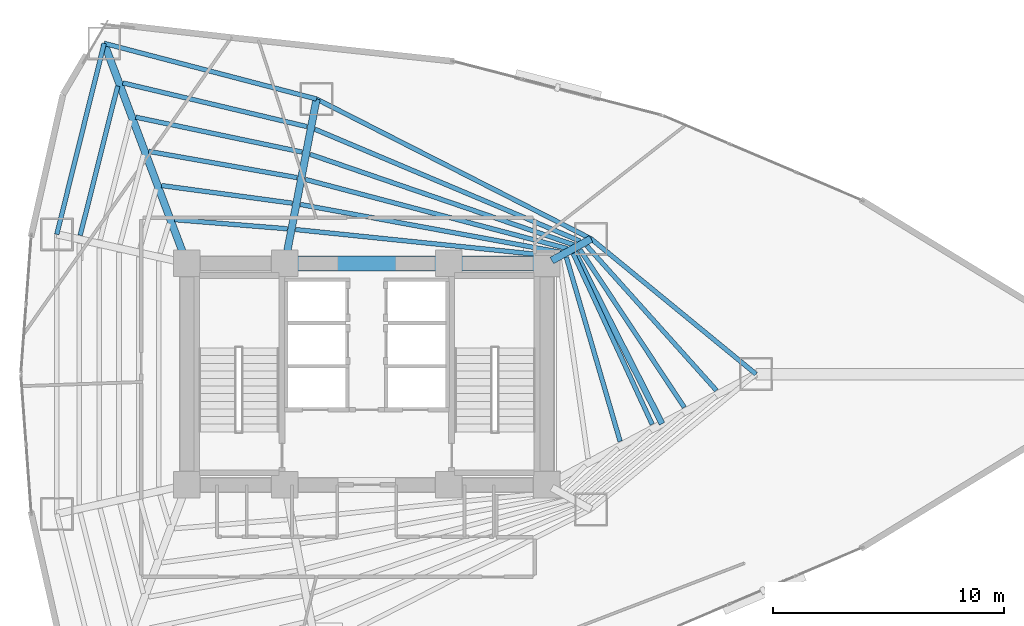
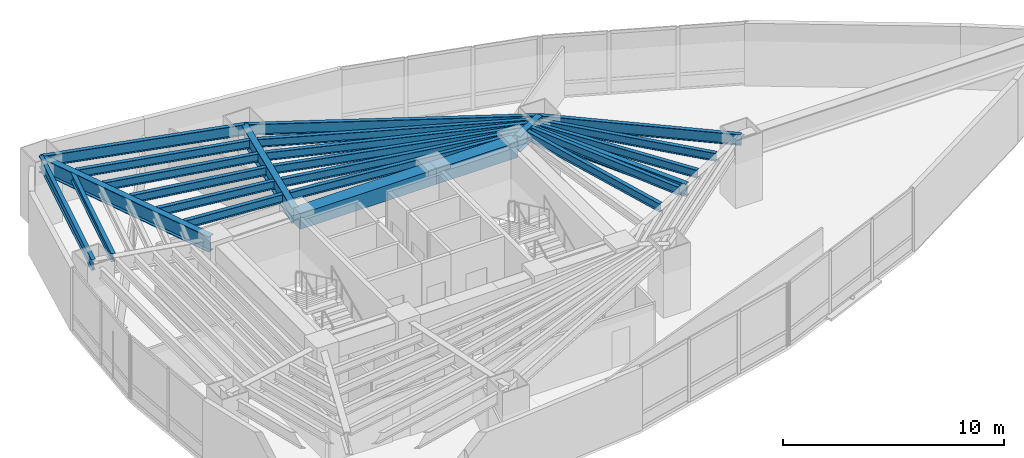
# One storey, part 9 of 20: 25 beams.
"""IFC4 building model written with IfcOpenShell, lengths in metres."""

from ifc_helpers import new_model, si_unit, direction, frame, origin, origin_2d, place, context, subcontext, project, spatial, rectangle, i_section, extrude, material, material_profile, profile_set, type_object, element, save


model = new_model("IFC4")

# Units and contexts
model_context = context("Model", 3, precision=1e-05, world=origin(), true_north=direction((0.0, 1.0)))
body_context = subcontext(model_context, "Body", "Model", "MODEL_VIEW")
ifc_project = project(units=[si_unit("LENGTHUNIT", "METRE"), si_unit("AREAUNIT", "SQUARE_METRE"), si_unit("VOLUMEUNIT", "CUBIC_METRE"), si_unit("PLANEANGLEUNIT", "RADIAN"), si_unit("MASSUNIT", "GRAM", prefix="KILO")], contexts=[model_context])

# Site, building, storey
site_placement = place(None, origin())
site = spatial("IfcSite", under=ifc_project, at=site_placement, CompositionType="ELEMENT")
building_placement = place(site_placement, origin())
building = spatial("IfcBuilding", under=site, at=building_placement, Name="Menara Vayukalpa", CompositionType="ELEMENT")
storey_placement = place(building_placement, frame((0.0, 0.0, 61.080078125)))
storey = spatial("IfcBuildingStorey", under=building, at=storey_placement, Name="L14", CompositionType="ELEMENT", Elevation=61.080078125)

# Beams
ifc_material_1 = material(Name="Concrete C60/75", Category="concrete")
ifc_material_profile_1 = material_profile(ifc_material_1, rectangle(XDim=0.64990234375, YDim=0.85009765625, at=origin_2d()), Name="RC 650x850")
ifc_profile_set_1 = profile_set([ifc_material_profile_1], Name="Concrete C60/75")
beam_type_1 = type_object("IfcBeamType", Name="BM-CB1", PredefinedType="BEAM", material=ifc_profile_set_1)
beam_1_placement = place(storey_placement, frame((22.050048828125, 26.800048828125, 3.044921875), z_axis=(1.0, 0.0, 0.0), x_axis=(0.0, 1.0, 0.0)))
element("IfcBeam", 1, at=beam_1_placement, inside=storey, type_object=beam_type_1, Name="L14 Core Tie Beam CBR5", PredefinedType="BEAM", context=body_context, shape_type="SweptSolid", body=[
    extrude(rectangle(XDim=0.64990234375, YDim=0.85009765625, at=origin_2d()), origin(), (0.0, 0.0, 1.0), 7.099853515625),
])
beam_2_placement = place(storey_placement, frame((29.14990234375, 26.800048828125, 3.044921875), z_axis=(1.0, 0.0, 0.0), x_axis=(0.0, 1.0, 0.0)))
element("IfcBeam", 2, at=beam_2_placement, inside=storey, type_object=beam_type_1, Name="L14 Core Tie Beam CBR6", PredefinedType="BEAM", context=body_context, shape_type="SweptSolid", body=[
    extrude(rectangle(XDim=0.64990234375, YDim=0.85009765625, at=origin_2d()), origin(), (0.0, 0.0, 1.0), 4.25),
])
ifc_material_2 = material(Name="Steel S355", Category="steel")
ifc_material_profile_2 = material_profile(ifc_material_2, i_section(OverallWidth=0.320068359375, OverallDepth=0.85009765625, WebThickness=0.01611328125, FlangeThickness=0.030029296875, at=origin_2d()), Name="WF 850x320x16x30")
ifc_profile_set_2 = profile_set([ifc_material_profile_2], Name="Steel S355")
beam_type_2 = type_object("IfcBeamType", Name="BM-PG2", PredefinedType="BEAM", material=ifc_profile_set_2)
beam_3_placement = place(storey_placement, frame((33.61865234375, 26.921142578125, 3.044921875), z_axis=(0.87459548214, 0.484853320727, 0.0), x_axis=(-0.484853320727, 0.87459548214, 0.0)))
element("IfcBeam", 3, at=beam_3_placement, inside=storey, type_object=beam_type_2, Name="L14 Primary Radial Girder RG02", PredefinedType="BEAM", context=body_context, shape_type="SweptSolid", body=[
    extrude(i_section(OverallWidth=0.320068359375, OverallDepth=0.85009765625, WebThickness=0.01611328125, FlangeThickness=0.030029296875, at=origin_2d()), origin(), (0.0, 0.0, 1.0), 1.943115234375),
])
beam_4_placement = place(storey_placement, frame((22.09716796875, 27.04541015625, 3.044921875), z_axis=(0.188803432672, 0.982014899995, 0.0), x_axis=(-0.982014899995, 0.188803432672, 0.0)))
element("IfcBeam", 4, at=beam_4_placement, inside=storey, type_object=beam_type_2, Name="L14 Primary Radial Girder RG03", PredefinedType="BEAM", context=body_context, shape_type="SweptSolid", body=[
    extrude(i_section(OverallWidth=0.320068359375, OverallDepth=0.85009765625, WebThickness=0.01611328125, FlangeThickness=0.030029296875, at=origin_2d()), origin(), (0.0, 0.0, 1.0), 7.00341796875),
])
beam_5_placement = place(storey_placement, frame((17.712158203125, 27.033935546875, 3.044921875), z_axis=(-0.351734656537, 0.93609974436, 0.0), x_axis=(-0.93609974436, -0.351734656537, 0.0)))
element("IfcBeam", 5, at=beam_5_placement, inside=storey, type_object=beam_type_2, Name="L14 Primary Radial Girder RG04", PredefinedType="BEAM", context=body_context, shape_type="SweptSolid", body=[
    extrude(i_section(OverallWidth=0.320068359375, OverallDepth=0.85009765625, WebThickness=0.01611328125, FlangeThickness=0.030029296875, at=origin_2d()), origin(), (0.0, 0.0, 1.0), 9.935302734375),
])
ifc_material_3 = material(Name="Steel S460", Category="steel")
ifc_material_profile_3 = material_profile(ifc_material_3, i_section(OverallWidth=0.260009765625, OverallDepth=0.679931640625, WebThickness=0.012939453125, FlangeThickness=0.02197265625, at=origin_2d()), Name="WF 680x260x13x22")
ifc_profile_set_3 = profile_set([ifc_material_profile_3], Name="Steel S460")
beam_type_3 = type_object("IfcBeamType", Name="BM-SBG1", PredefinedType="BEAM", material=ifc_profile_set_3)
beam_6_placement = place(storey_placement, frame((38.396484375, 19.845703125, 3.1298828125), z_axis=(-0.453593975241, 0.891208452398, 0.0), x_axis=(-0.891208452398, -0.453593975241, 0.0)))
element("IfcBeam", 6, at=beam_6_placement, inside=storey, type_object=beam_type_3, Name="L14 SB1 Sky Bar Interior Tie Beam", PredefinedType="BEAM", context=body_context, shape_type="SweptSolid", body=[
    extrude(i_section(OverallWidth=0.260009765625, OverallDepth=0.679931640625, WebThickness=0.012939453125, FlangeThickness=0.02197265625, at=origin_2d()), origin(), (0.0, 0.0, 1.0), 8.510009765625),
])
ifc_material_4 = material(Name="Steel S355", Category="steel")
ifc_material_profile_4 = material_profile(ifc_material_4, i_section(OverallWidth=0.199951171875, OverallDepth=0.449951171875, WebThickness=0.009033203125, FlangeThickness=0.013916015625, at=origin_2d()), Name="WF 450x200x9x14")
ifc_profile_set_4 = profile_set([ifc_material_profile_4], Name="Steel S355")
beam_type_4 = type_object("IfcBeamType", Name="BM-SJ1", PredefinedType="JOIST", material=ifc_profile_set_4)
beam_7_placement = place(storey_placement, frame((36.577392578125, 19.08203125, 3.244873046875), z_axis=(-0.280127331343, 0.959962852528, 0.0), x_axis=(-0.959962852528, -0.280127331343, 0.0)))
element("IfcBeam", 7, at=beam_7_placement, inside=storey, type_object=beam_type_4, Name="L14 Secondary Floor Joist SJ01-2", PredefinedType="JOIST", context=body_context, shape_type="SweptSolid", body=[
    extrude(i_section(OverallWidth=0.199951171875, OverallDepth=0.449951171875, WebThickness=0.009033203125, FlangeThickness=0.013916015625, at=origin_2d()), origin(), (0.0, 0.0, 1.0), 8.319580078125),
])
beam_8_placement = place(storey_placement, frame((37.96728515625, 19.822021484375, 3.244873046875), z_axis=(-0.419547647921, 0.907733314979, 0.0), x_axis=(-0.907733314979, -0.419547647921, 0.0)))
element("IfcBeam", 8, at=beam_8_placement, inside=storey, type_object=beam_type_4, Name="L14 Secondary Floor Joist SJ01-3", PredefinedType="JOIST", context=body_context, shape_type="SweptSolid", body=[
    extrude(i_section(OverallWidth=0.199951171875, OverallDepth=0.449951171875, WebThickness=0.009033203125, FlangeThickness=0.013916015625, at=origin_2d()), origin(), (0.0, 0.0, 1.0), 8.15966796875),
])
beam_9_placement = place(storey_placement, frame((39.358642578125, 20.557861328125, 3.244873046875), z_axis=(-0.551519467329, 0.834162020927, 0.0), x_axis=(-0.834162020927, -0.551519467329, 0.0)))
element("IfcBeam", 9, at=beam_9_placement, inside=storey, type_object=beam_type_4, Name="L14 Secondary Floor Joist SJ01-4", PredefinedType="JOIST", context=body_context, shape_type="SweptSolid", body=[
    extrude(i_section(OverallWidth=0.199951171875, OverallDepth=0.449951171875, WebThickness=0.009033203125, FlangeThickness=0.013916015625, at=origin_2d()), origin(), (0.0, 0.0, 1.0), 8.19384765625),
])
beam_10_placement = place(storey_placement, frame((40.752685546875, 21.291015625, 3.244873046875), z_axis=(-0.667563308959, 0.744553039435, 0.0), x_axis=(-0.744553039435, -0.667563308959, 0.0)))
element("IfcBeam", 10, at=beam_10_placement, inside=storey, type_object=beam_type_4, Name="L14 Secondary Floor Joist SJ01-5", PredefinedType="JOIST", context=body_context, shape_type="SweptSolid", body=[
    extrude(i_section(OverallWidth=0.199951171875, OverallDepth=0.449951171875, WebThickness=0.009033203125, FlangeThickness=0.013916015625, at=origin_2d()), origin(), (0.0, 0.0, 1.0), 8.419189453125),
])
beam_11_placement = place(storey_placement, frame((33.74560546875, 27.109130859375, 3.244873046875), z_axis=(-0.994746828953, 0.102365747631, 0.0), x_axis=(-0.102365747631, -0.994746828953, 0.0)))
element("IfcBeam", 11, at=beam_11_placement, inside=storey, type_object=beam_type_4, Name="L14 Secondary Floor Joist SJ02-1", PredefinedType="JOIST", context=body_context, shape_type="SweptSolid", body=[
    extrude(i_section(OverallWidth=0.199951171875, OverallDepth=0.449951171875, WebThickness=0.009033203125, FlangeThickness=0.013916015625, at=origin_2d()), origin(), (0.0, 0.0, 1.0), 11.29052734375),
])
beam_12_placement = place(storey_placement, frame((34.019287109375, 27.27392578125, 3.244873046875), z_axis=(-0.983504975359, 0.180881075419, 0.0), x_axis=(-0.180881075419, -0.983504975359, 0.0)))
element("IfcBeam", 12, at=beam_12_placement, inside=storey, type_object=beam_type_4, Name="L14 Secondary Floor Joist SJ02-2", PredefinedType="JOIST", context=body_context, shape_type="SweptSolid", body=[
    extrude(i_section(OverallWidth=0.199951171875, OverallDepth=0.449951171875, WebThickness=0.009033203125, FlangeThickness=0.013916015625, at=origin_2d()), origin(), (0.0, 0.0, 1.0), 11.48486328125),
])
beam_13_placement = place(storey_placement, frame((34.294189453125, 27.438232421875, 3.244873046875), z_axis=(-0.966863757537, 0.255292918746, 0.0), x_axis=(-0.255292918746, -0.966863757537, 0.0)))
element("IfcBeam", 13, at=beam_13_placement, inside=storey, type_object=beam_type_4, Name="L14 Secondary Floor Joist SJ02-3", PredefinedType="JOIST", context=body_context, shape_type="SweptSolid", body=[
    extrude(i_section(OverallWidth=0.199951171875, OverallDepth=0.449951171875, WebThickness=0.009033203125, FlangeThickness=0.013916015625, at=origin_2d()), origin(), (0.0, 0.0, 1.0), 11.751220703125),
])
beam_14_placement = place(storey_placement, frame((34.570068359375, 27.601318359375, 3.244873046875), z_axis=(-0.945794261669, 0.324766400038, 0.0), x_axis=(-0.324766400038, -0.945794261669, 0.0)))
element("IfcBeam", 14, at=beam_14_placement, inside=storey, type_object=beam_type_4, Name="L14 Secondary Floor Joist SJ02-4", PredefinedType="JOIST", context=body_context, shape_type="SweptSolid", body=[
    extrude(i_section(OverallWidth=0.199951171875, OverallDepth=0.449951171875, WebThickness=0.009033203125, FlangeThickness=0.013916015625, at=origin_2d()), origin(), (0.0, 0.0, 1.0), 12.0849609375),
])
beam_15_placement = place(storey_placement, frame((34.84619140625, 27.763671875, 3.244873046875), z_axis=(-0.921359344435, 0.38871192215, 0.0), x_axis=(-0.38871192215, -0.921359344435, 0.0)))
element("IfcBeam", 15, at=beam_15_placement, inside=storey, type_object=beam_type_4, Name="L14 Secondary Floor Joist SJ02-5", PredefinedType="JOIST", context=body_context, shape_type="SweptSolid", body=[
    extrude(i_section(OverallWidth=0.199951171875, OverallDepth=0.449951171875, WebThickness=0.009033203125, FlangeThickness=0.013916015625, at=origin_2d()), origin(), (0.0, 0.0, 1.0), 12.48046875),
])
beam_16_placement = place(storey_placement, frame((22.15576171875, 28.2978515625, 3.244873046875), z_axis=(-0.996745483939, 0.08061290373, 0.0), x_axis=(-0.08061290373, -0.996745483939, 0.0)))
element("IfcBeam", 16, at=beam_16_placement, inside=storey, type_object=beam_type_4, Name="L14 Secondary Floor Joist SJ03-1", PredefinedType="JOIST", context=body_context, shape_type="SweptSolid", body=[
    extrude(i_section(OverallWidth=0.199951171875, OverallDepth=0.449951171875, WebThickness=0.009033203125, FlangeThickness=0.013916015625, at=origin_2d()), origin(), (0.0, 0.0, 1.0), 4.9091796875),
])
beam_17_placement = place(storey_placement, frame((22.368408203125, 29.40771484375, 3.244873046875), z_axis=(-0.991021966654, 0.13369914588, 0.0), x_axis=(-0.13369914588, -0.991021966654, 0.0)))
element("IfcBeam", 17, at=beam_17_placement, inside=storey, type_object=beam_type_4, Name="L14 Secondary Floor Joist SJ03-2", PredefinedType="JOIST", context=body_context, shape_type="SweptSolid", body=[
    extrude(i_section(OverallWidth=0.199951171875, OverallDepth=0.449951171875, WebThickness=0.009033203125, FlangeThickness=0.013916015625, at=origin_2d()), origin(), (0.0, 0.0, 1.0), 5.71728515625),
])
beam_18_placement = place(storey_placement, frame((22.5810546875, 30.515380859375, 3.244873046875), z_axis=(-0.984753096925, 0.173957862993, 0.0), x_axis=(-0.173957862993, -0.984753096925, 0.0)))
element("IfcBeam", 18, at=beam_18_placement, inside=storey, type_object=beam_type_4, Name="L14 Secondary Floor Joist SJ03-3", PredefinedType="JOIST", context=body_context, shape_type="SweptSolid", body=[
    extrude(i_section(OverallWidth=0.199951171875, OverallDepth=0.449951171875, WebThickness=0.009033203125, FlangeThickness=0.013916015625, at=origin_2d()), origin(), (0.0, 0.0, 1.0), 6.53857421875),
])
beam_19_placement = place(storey_placement, frame((22.793701171875, 31.62158203125, 3.244873046875), z_axis=(-0.978676146728, 0.205409346977, 0.0), x_axis=(-0.205409346977, -0.978676146728, 0.0)))
element("IfcBeam", 19, at=beam_19_placement, inside=storey, type_object=beam_type_4, Name="L14 Secondary Floor Joist SJ03-4", PredefinedType="JOIST", context=body_context, shape_type="SweptSolid", body=[
    extrude(i_section(OverallWidth=0.199951171875, OverallDepth=0.449951171875, WebThickness=0.009033203125, FlangeThickness=0.013916015625, at=origin_2d()), origin(), (0.0, 0.0, 1.0), 7.369140625),
])
beam_20_placement = place(storey_placement, frame((23.00634765625, 32.726318359375, 3.244873046875), z_axis=(-0.97303971213, 0.23063763487, 0.0), x_axis=(-0.23063763487, -0.97303971213, 0.0)))
element("IfcBeam", 20, at=beam_20_placement, inside=storey, type_object=beam_type_4, Name="L14 Secondary Floor Joist SJ03-5", PredefinedType="JOIST", context=body_context, shape_type="SweptSolid", body=[
    extrude(i_section(OverallWidth=0.199951171875, OverallDepth=0.449951171875, WebThickness=0.009033203125, FlangeThickness=0.013916015625, at=origin_2d()), origin(), (0.0, 0.0, 1.0), 8.205810546875),
])
beam_21_placement = place(storey_placement, frame((14.802734375, 34.485595703125, 3.244873046875), z_axis=(-0.243517460774, -0.96989651319, 0.0), x_axis=(0.96989651319, -0.243517460774, 0.0)))
element("IfcBeam", 21, at=beam_21_placement, inside=storey, type_object=beam_type_4, Name="L14 Secondary Floor Joist SJ04-5", PredefinedType="JOIST", context=body_context, shape_type="SweptSolid", body=[
    extrude(i_section(OverallWidth=0.199951171875, OverallDepth=0.449951171875, WebThickness=0.009033203125, FlangeThickness=0.013916015625, at=origin_2d()), origin(), (0.0, 0.0, 1.0), 6.6689453125),
])
ifc_material_5 = material(Name="Steel S355", Category="steel")
ifc_material_profile_5 = material_profile(ifc_material_5, i_section(OverallWidth=0.199951171875, OverallDepth=0.60009765625, WebThickness=0.010986328125, FlangeThickness=0.01708984375, at=origin_2d()), Name="WF 600x200x11x17")
ifc_profile_set_5 = profile_set([ifc_material_profile_5], Name="Steel S355")
beam_type_5 = type_object("IfcBeamType", Name="BM-SP1", PredefinedType="SPANDREL", material=ifc_profile_set_5)
beam_22_placement = place(storey_placement, frame((42.46484375, 22.0, 3.169921875), z_axis=(-0.773110561587, 0.63427128231, 0.0), x_axis=(-0.63427128231, -0.773110561587, 0.0)))
element("IfcBeam", 22, at=beam_22_placement, inside=storey, type_object=beam_type_5, Name="L14 Perimeter Spandrel Beam SP01", PredefinedType="SPANDREL", context=body_context, shape_type="SweptSolid", body=[
    extrude(i_section(OverallWidth=0.199951171875, OverallDepth=0.60009765625, WebThickness=0.010986328125, FlangeThickness=0.01708984375, at=origin_2d()), origin(), (0.0, 0.0, 1.0), 9.244140625),
])
beam_23_placement = place(storey_placement, frame((35.318115234375, 27.86328125, 3.169921875), z_axis=(-0.891100743313, 0.453805536841, 0.0), x_axis=(-0.453805536841, -0.891100743313, 0.0)))
element("IfcBeam", 23, at=beam_23_placement, inside=storey, type_object=beam_type_5, Name="L14 Perimeter Spandrel Beam SP02", PredefinedType="SPANDREL", context=body_context, shape_type="SweptSolid", body=[
    extrude(i_section(OverallWidth=0.199951171875, OverallDepth=0.60009765625, WebThickness=0.010986328125, FlangeThickness=0.01708984375, at=origin_2d()), origin(), (0.0, 0.0, 1.0), 13.352783203125),
])
beam_24_placement = place(storey_placement, frame((23.41943359375, 33.9228515625, 3.169921875), z_axis=(-0.967331024421, 0.253516644802, 0.0), x_axis=(-0.253516644802, -0.967331024421, 0.0)))
element("IfcBeam", 24, at=beam_24_placement, inside=storey, type_object=beam_type_5, Name="L14 Perimeter Spandrel Beam SP03", PredefinedType="SPANDREL", context=body_context, shape_type="SweptSolid", body=[
    extrude(i_section(OverallWidth=0.199951171875, OverallDepth=0.60009765625, WebThickness=0.010986328125, FlangeThickness=0.01708984375, at=origin_2d()), origin(), (0.0, 0.0, 1.0), 9.5126953125),
])
beam_25_placement = place(storey_placement, frame((14.217529296875, 36.33447265625, 3.169921875), z_axis=(-0.240823860364, -0.970568837476, 0.0), x_axis=(0.970568837476, -0.240823860364, 0.0)))
element("IfcBeam", 25, at=beam_25_placement, inside=storey, type_object=beam_type_5, Name="L14 Perimeter Spandrel Beam SP04", PredefinedType="SPANDREL", context=body_context, shape_type="SweptSolid", body=[
    extrude(i_section(OverallWidth=0.199951171875, OverallDepth=0.60009765625, WebThickness=0.010986328125, FlangeThickness=0.01708984375, at=origin_2d()), origin(), (0.0, 0.0, 1.0), 8.52587890625),
])

save(model, "model.ifc")
